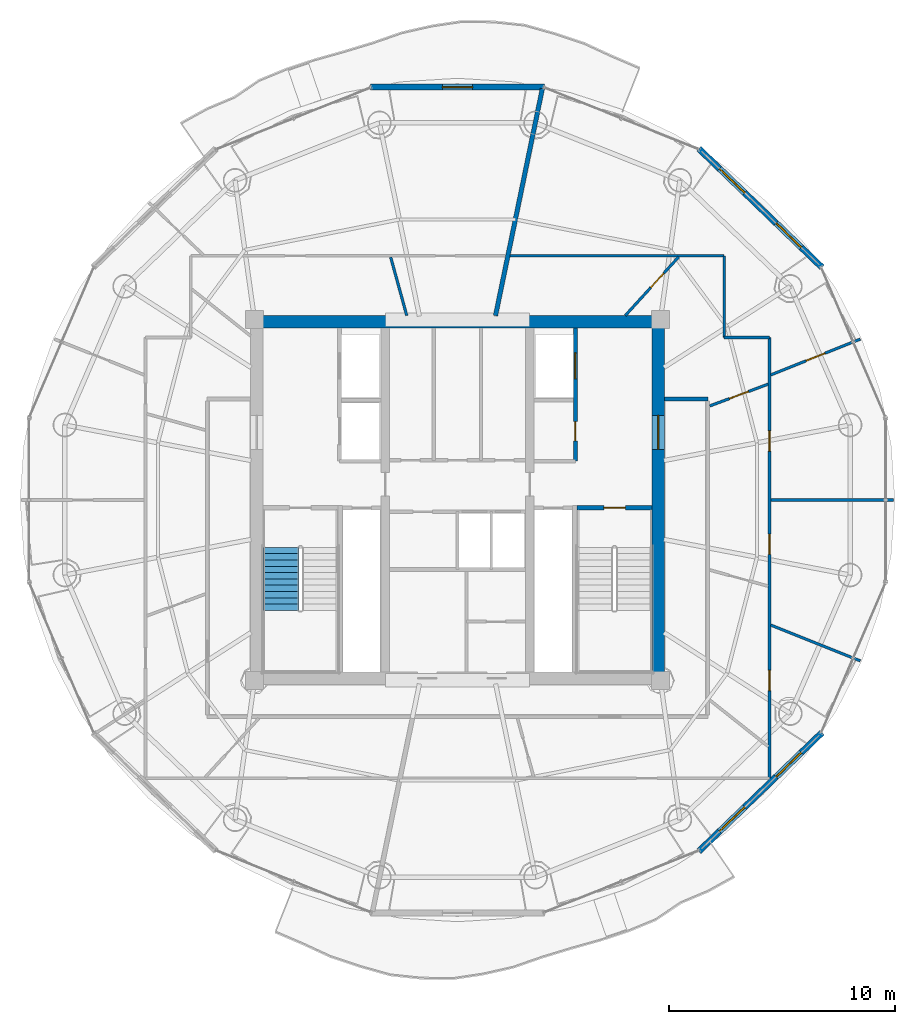
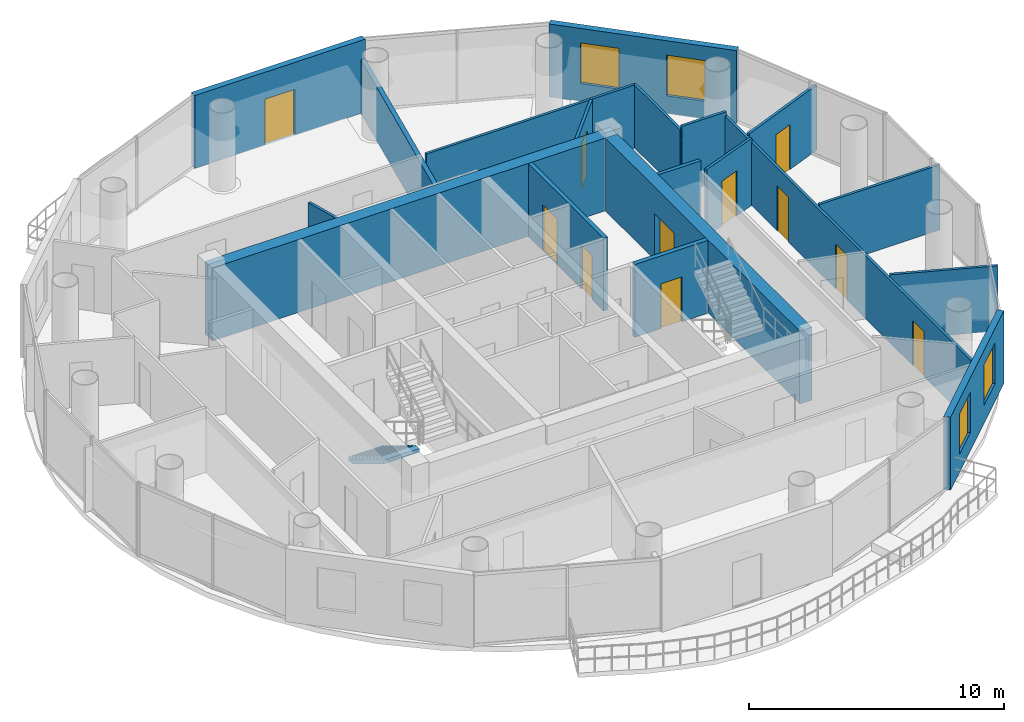
# One storey, part 16 of 21: 19 walls, 11 doors, 4 windows, 1 stair flight, 15 openings, 1 element without a shape of its own.
"""IFC4 building model written with IfcOpenShell, lengths in metres."""

from ifc_helpers import new_model, si_unit, direction, frame, frame_2d, origin, place, context, subcontext, project, spatial, polyline, rectangle, outline, extrude, source, transform, mapped, material, layer, layer_set, type_object, element, fill, aggregate, save


model = new_model("IFC4")

# Units and contexts
model_context = context("Model", 3, precision=1e-05, world=origin(), true_north=direction((-0.2419218956, 0.970295726276)))
body_context = subcontext(model_context, "Body", "Model", "MODEL_VIEW")
ifc_project = project(units=[si_unit("LENGTHUNIT", "METRE"), si_unit("AREAUNIT", "SQUARE_METRE"), si_unit("VOLUMEUNIT", "CUBIC_METRE"), si_unit("PLANEANGLEUNIT", "RADIAN"), si_unit("MASSUNIT", "GRAM", prefix="KILO")], contexts=[model_context])

# Site, building, storey
site_placement = place(None, origin())
site = spatial("IfcSite", under=ifc_project, at=site_placement, CompositionType="ELEMENT")
building_placement = place(site_placement, origin())
building = spatial("IfcBuilding", under=site, at=building_placement, Name="Cobrevalo Terracotta Tower", CompositionType="ELEMENT")
storey_placement = place(building_placement, frame((0.0, 0.0, 285.699951171875)))
storey = spatial("IfcBuildingStorey", under=building, at=storey_placement, Name="L75", CompositionType="ELEMENT", Elevation=285.699951171875)

# Wall
ifc_material_1 = material(Name="Concrete C50", Category="concrete")
ifc_layer_1 = layer(ifc_material_1, 0.550048828125)
ifc_layer_set_1 = layer_set([ifc_layer_1], Name="Concrete C50")
wall_type_1 = type_object("IfcWallType", Name="Core shear wall 550 mm Concrete C50", PredefinedType="SHEAR", material=ifc_layer_set_1)
wall_1_placement = place(storey_placement, frame((28.824951171875, 34.699951171875, 0.0), z_axis=(0.0, 0.0, 1.0), x_axis=(1.0, 0.0, 0.0)))
element("IfcWall", 1, at=wall_1_placement, inside=storey, type_object=wall_type_1, Name="L75 north core shear wall", PredefinedType="SHEAR", context=body_context, shape_type="SweptSolid", body=[
    extrude(rectangle(XDim=18.35009765625, YDim=0.550048828125, at=frame_2d((9.175048828125, 0.0))), origin(), (0.0, 0.0, 1.0), 3.489990234375),
])

# Wall, opening, door
wall_2_placement = place(storey_placement, frame((46.89990234375, 19.175048828125, 0.0), z_axis=(0.0, 0.0, 1.0), x_axis=(0.0, 1.0, 0.0)))
wall_2 = element("IfcWall", 2, at=wall_2_placement, inside=storey, type_object=wall_type_1, Name="L75 east core shear wall", PredefinedType="SHEAR", context=body_context, shape_type="SweptSolid", body=[
    extrude(rectangle(XDim=15.25, YDim=0.550048828125, at=frame_2d((7.625, 0.0))), origin(), (0.0, 0.0, 1.0), 3.489990234375),
])
opening_1_placement = place(wall_2_placement, frame((9.875, 0.0, 0.0)))
opening_1 = element("IfcOpeningElement", 3, at=opening_1_placement, cuts=wall_2, Name="Opening ID-14", PredefinedType="OPENING", context=body_context, shape_type="SweptSolid", body=[
    extrude(rectangle(XDim=1.5, YDim=2.199951171875, at=frame_2d((0.75, 1.10009765625))), frame((0.0, 0.28515625, 0.0), z_axis=(0.0, -1.0, 0.0), x_axis=(1.0, 0.0, 0.0)), (0.0, 0.0, 1.0), 0.570068359375),
])
ifc_material_2 = material(Name="Galvanized fire-rated steel", Category="steel")
door_type_1 = type_object("IfcDoorType", Name="Core cross-lobby double fire door 1500x2200 EI 90", OperationType="NOTDEFINED", PredefinedType="DOOR", material=ifc_material_2)
shared_shape_1 = source(origin(), body_context, "Body", "SweptSolid", [
    extrude(rectangle(XDim=1.5, YDim=2.199951171875, at=frame_2d((0.75, 1.10009765625))), frame((0.0, 0.02490234375, 0.0), z_axis=(0.0, -1.0, 0.0), x_axis=(1.0, 0.0, 0.0)), (0.0, 0.0, 1.0), 0.050048828125),
])
door_1_placement = place(opening_1_placement, frame((1.5, 0.0, 0.0), z_axis=(0.0, 0.0, 1.0), x_axis=(-1.0, 0.0, 0.0)))
door_1 = element("IfcDoor", 4, at=door_1_placement, inside=storey, type_object=door_type_1, Name="L75 east firefighting lobby entrance door", OperationType="DOUBLE_DOOR_SINGLE_SWING", OverallHeight=2.199951171875, OverallWidth=1.5, PredefinedType="DOOR", context=body_context, shape_type="MappedRepresentation", body=[
    mapped(shared_shape_1, transform((0.0, 0.0, 0.0), scale=1.0)),
])
fill(opening_1, door_1)

# Wall
ifc_material_3 = material(Name="Gypsum board on steel stud", Category="steel")
ifc_layer_2 = layer(ifc_material_3, 0.159912109375)
ifc_layer_set_2 = layer_set([ifc_layer_2], Name="Gypsum board on steel stud")
wall_type_2 = type_object("IfcWallType", Name="Fire-rated corridor acoustic partition wall 160 mm", PredefinedType="PARTITIONING", material=ifc_layer_set_2)
wall_3_placement = place(storey_placement, frame((47.175048828125, 31.280029296875, 0.0), z_axis=(0.0, 0.0, 1.0), x_axis=(1.0, 0.0, 0.0)))
element("IfcWall", 5, at=wall_3_placement, inside=storey, type_object=wall_type_2, Name="L75 interior partition IW-L75-COR-EN-CAP", PredefinedType="PARTITIONING", context=body_context, shape_type="SweptSolid", body=[
    extrude(rectangle(XDim=1.929931640625, YDim=0.159912109375, at=frame_2d((0.96484375, 0.0))), origin(), (0.0, 0.0, 1.0), 3.489990234375),
])

# Wall, openings, doors
ifc_layer_3 = layer(ifc_material_3, 0.179931640625)
ifc_layer_set_3 = layer_set([ifc_layer_3], Name="Gypsum board on steel stud")
wall_type_3 = type_object("IfcWallType", Name="Fire-rated shaft & lobby acoustic partition wall 180 mm", PredefinedType="PARTITIONING", material=ifc_layer_set_3)
wall_4_placement = place(storey_placement, frame((43.22998046875, 28.52001953125, 0.0), z_axis=(0.0, 0.0, 1.0), x_axis=(0.0, 1.0, 0.0)))
wall_4 = element("IfcWall", 6, at=wall_4_placement, inside=storey, type_object=wall_type_3, Name="L75 interior partition IW-L75-FF2-E", PredefinedType="PARTITIONING", context=body_context, shape_type="SweptSolid", body=[
    extrude(rectangle(XDim=5.905029296875, YDim=0.179931640625, at=frame_2d((2.95263671875, 0.0))), origin(), (0.0, 0.0, 1.0), 3.489990234375),
])
opening_2_placement = place(wall_4_placement, frame((0.905029296875, 0.0, 0.0)))
opening_2 = element("IfcOpeningElement", 7, at=opening_2_placement, cuts=wall_4, Name="Opening ID-22", PredefinedType="OPENING", context=body_context, shape_type="SweptSolid", body=[
    extrude(rectangle(XDim=0.85009765625, YDim=2.10009765625, at=frame_2d((0.425048828125, 1.050048828125))), frame((0.0, 0.10009765625, 0.0), z_axis=(0.0, -1.0, 0.0), x_axis=(1.0, 0.0, 0.0)), (0.0, 0.0, 1.0), 0.199951171875),
])
opening_3_placement = place(wall_4_placement, frame((3.655029296875, 0.0, 0.0)))
opening_3 = element("IfcOpeningElement", 8, at=opening_3_placement, cuts=wall_4, Name="Opening LD-02", PredefinedType="OPENING", context=body_context, shape_type="SweptSolid", body=[
    extrude(rectangle(XDim=1.14990234375, YDim=2.199951171875, at=frame_2d((0.574951171875, 1.10009765625))), frame((0.0, 0.10009765625, 0.0), z_axis=(0.0, -1.0, 0.0), x_axis=(1.0, 0.0, 0.0)), (0.0, 0.0, 1.0), 0.199951171875),
])
ifc_material_4 = material(Name="Powder-coated steel", Category="steel")
door_type_2 = type_object("IfcDoorType", Name="Riser shaft & meter closet fire access door 850x2100 EI 60", OperationType="NOTDEFINED", PredefinedType="DOOR", material=ifc_material_4)
shared_shape_2 = source(origin(), body_context, "Body", "SweptSolid", [
    extrude(rectangle(XDim=0.85009765625, YDim=2.10009765625, at=frame_2d((0.425048828125, 1.050048828125))), frame((0.0, 0.02490234375, 0.0), z_axis=(0.0, -1.0, 0.0), x_axis=(1.0, 0.0, 0.0)), (0.0, 0.0, 1.0), 0.050048828125),
])
door_2_placement = place(opening_2_placement, frame((0.85009765625, 0.0, 0.0), z_axis=(0.0, 0.0, 1.0), x_axis=(-1.0, 0.0, 0.0)))
door_2 = element("IfcDoor", 9, at=door_2_placement, inside=storey, type_object=door_type_2, Name="L75 housekeeping store door", OperationType="SINGLE_SWING_RIGHT", OverallHeight=2.10009765625, OverallWidth=0.85009765625, PredefinedType="DOOR", context=body_context, shape_type="MappedRepresentation", body=[
    mapped(shared_shape_2, transform((0.0, 0.0, 0.0), scale=1.0)),
])
fill(opening_2, door_2)
ifc_material_5 = material(Name="Brushed stainless steel", Category="steel")
door_type_3 = type_object("IfcDoorType", Name="Firefighting lift landing bi-parting sliding door 1150x2200 EI 120", OperationType="DOUBLE_DOOR_SLIDING", PredefinedType="DOOR", material=ifc_material_5)
shared_shape_3 = source(origin(), body_context, "Body", "SweptSolid", [
    extrude(rectangle(XDim=1.14990234375, YDim=2.199951171875, at=frame_2d((0.574951171875, 1.10009765625))), frame((0.0, 0.02490234375, 0.0), z_axis=(0.0, -1.0, 0.0), x_axis=(1.0, 0.0, 0.0)), (0.0, 0.0, 1.0), 0.050048828125),
])
door_3_placement = place(opening_3_placement, origin())
door_3 = element("IfcDoor", 10, at=door_3_placement, inside=storey, type_object=door_type_3, Name="L75 lift landing door FF-2", OperationType="DOUBLE_DOOR_SLIDING", OverallHeight=2.199951171875, OverallWidth=1.14990234375, PredefinedType="DOOR", context=body_context, shape_type="MappedRepresentation", body=[
    mapped(shared_shape_3, transform((0.0, 0.0, 0.0), scale=1.0)),
])
fill(opening_3, door_3)

# Wall
ifc_material_6 = material(Name="Autoclaved aerated concrete block", Category="concrete")
ifc_layer_4 = layer(ifc_material_6, 0.199951171875)
ifc_layer_set_4 = layer_set([ifc_layer_4], Name="Autoclaved aerated concrete block")
wall_type_4 = type_object("IfcWallType", Name="Fire-rated stair, shaft & demising masonry wall 200 mm", PredefinedType="PARTITIONING", material=ifc_layer_set_4)
wall_5_placement = place(storey_placement, frame((39.6875, 34.97705078125, 0.0), z_axis=(0.0, 0.0, 1.0), x_axis=(0.202091890364, 0.979366564596, 0.0)))
element("IfcWall", 11, at=wall_5_placement, inside=storey, type_object=wall_type_4, Name="L75 interior partition IW-L75-DEM-1", PredefinedType="PARTITIONING", context=body_context, shape_type="SweptSolid", body=[
    extrude(rectangle(XDim=10.2783203125, YDim=0.199951171875, at=frame_2d((5.13916015625, 0.0))), origin(), (0.0, 0.0, 1.0), 2.574951171875),
])

# Wall, openings, windows
ifc_layer_5 = layer(ifc_material_6, 0.280029296875)
ifc_layer_set_5 = layer_set([ifc_layer_5], Name="Autoclaved aerated concrete block")
wall_type_5 = type_object("IfcWallType", Name="Insulated tower spandrel & pier wall 280 mm with terracotta rainscreen", PredefinedType="SOLIDWALL", material=ifc_layer_set_5)
wall_6_placement = place(storey_placement, frame((54.1630859375, 37.116943359375, 0.0), z_axis=(0.0, 0.0, 1.0), x_axis=(-0.719979309073, 0.693995529169, 0.0)))
wall_6 = element("IfcWall", 12, at=wall_6_placement, inside=storey, type_object=wall_type_5, Name="L75 terracotta rainscreen pier wall S02", PredefinedType="SOLIDWALL", context=body_context, shape_type="SweptSolid", body=[
    extrude(rectangle(XDim=7.58251953125, YDim=0.280029296875, at=frame_2d((3.791259765625, 0.0))), origin(), (0.0, 0.0, 1.0), 3.489990234375),
])
opening_4_placement = place(wall_6_placement, frame((1.272216796875, 0.0, 0.85009765625)))
opening_4 = element("IfcOpeningElement", 13, at=opening_4_placement, cuts=wall_6, Name="Opening WN-12", PredefinedType="OPENING", context=body_context, shape_type="SweptSolid", body=[
    extrude(rectangle(XDim=1.550048828125, YDim=1.949951171875, at=frame_2d((0.77490234375, 0.97509765625))), frame((0.0, 0.14990234375, 0.0), z_axis=(0.0, -1.0, 0.0), x_axis=(1.0, 0.0, 0.0)), (0.0, 0.0, 1.0), 0.300048828125),
])
opening_5_placement = place(wall_6_placement, frame((4.76025390625, 0.0, 0.85009765625)))
opening_5 = element("IfcOpeningElement", 14, at=opening_5_placement, cuts=wall_6, Name="Opening WN-12", PredefinedType="OPENING", context=body_context, shape_type="SweptSolid", body=[
    extrude(rectangle(XDim=1.550048828125, YDim=1.949951171875, at=frame_2d((0.77490234375, 0.97509765625))), frame((0.0, 0.14990234375, 0.0), z_axis=(0.0, -1.0, 0.0), x_axis=(1.0, 0.0, 0.0)), (0.0, 0.0, 1.0), 0.300048828125),
])
ifc_material_7 = material(Name="Solar-control low-E double glazing", Category="glass")
window_type = type_object("IfcWindowType", Name="Solar-control low-E aluminium window 1550x1950", PartitioningType="SINGLE_PANEL", PredefinedType="WINDOW", material=ifc_material_7)
shared_shape_4 = source(origin(), body_context, "Body", "SweptSolid", [
    extrude(rectangle(XDim=1.550048828125, YDim=1.949951171875, at=frame_2d((0.77490234375, 0.97509765625))), frame((0.0, 0.030029296875, 0.0), z_axis=(0.0, -1.0, 0.0), x_axis=(1.0, 0.0, 0.0)), (0.0, 0.0, 1.0), 0.06005859375),
])
window_1_placement = place(opening_4_placement, origin())
window_1 = element("IfcWindow", 15, at=window_1_placement, inside=storey, type_object=window_type, Name="L75 suite window S02A", OverallHeight=1.949951171875, OverallWidth=1.550048828125, PartitioningType="SINGLE_PANEL", PredefinedType="WINDOW", context=body_context, shape_type="MappedRepresentation", body=[
    mapped(shared_shape_4, transform((0.0, 0.0, 0.0), scale=1.0)),
])
fill(opening_4, window_1)
window_2_placement = place(opening_5_placement, origin())
window_2 = element("IfcWindow", 16, at=window_2_placement, inside=storey, type_object=window_type, Name="L75 suite window S02B", OverallHeight=1.949951171875, OverallWidth=1.550048828125, PartitioningType="SINGLE_PANEL", PredefinedType="WINDOW", context=body_context, shape_type="MappedRepresentation", body=[
    mapped(shared_shape_4, transform((0.0, 0.0, 0.0), scale=1.0)),
])
fill(opening_5, window_2)

wall_7_placement = place(storey_placement, frame((48.703857421875, 11.220947265625, 0.0), z_axis=(0.0, 0.0, 1.0), x_axis=(0.719995397366, 0.69397883813, 0.0)))
wall_7 = element("IfcWall", 17, at=wall_7_placement, inside=storey, type_object=wall_type_5, Name="L75 terracotta rainscreen pier wall S14", PredefinedType="SOLIDWALL", context=body_context, shape_type="SweptSolid", body=[
    extrude(rectangle(XDim=7.582275390625, YDim=0.280029296875, at=frame_2d((3.791015625, 0.0))), origin(), (0.0, 0.0, 1.0), 3.489990234375),
])
opening_6_placement = place(wall_7_placement, frame((1.272216796875, 0.0, 0.85009765625)))
opening_6 = element("IfcOpeningElement", 18, at=opening_6_placement, cuts=wall_7, Name="Opening WN-12", PredefinedType="OPENING", context=body_context, shape_type="SweptSolid", body=[
    extrude(rectangle(XDim=1.550048828125, YDim=1.949951171875, at=frame_2d((0.77490234375, 0.97509765625))), frame((0.0, 0.14990234375, 0.0), z_axis=(0.0, -1.0, 0.0), x_axis=(1.0, 0.0, 0.0)), (0.0, 0.0, 1.0), 0.300048828125),
])
opening_7_placement = place(wall_7_placement, frame((4.76025390625, 0.0, 0.85009765625)))
opening_7 = element("IfcOpeningElement", 19, at=opening_7_placement, cuts=wall_7, Name="Opening WN-12", PredefinedType="OPENING", context=body_context, shape_type="SweptSolid", body=[
    extrude(rectangle(XDim=1.550048828125, YDim=1.949951171875, at=frame_2d((0.77490234375, 0.97509765625))), frame((0.0, 0.14990234375, 0.0), z_axis=(0.0, -1.0, 0.0), x_axis=(1.0, 0.0, 0.0)), (0.0, 0.0, 1.0), 0.300048828125),
])
window_3_placement = place(opening_6_placement, origin())
window_3 = element("IfcWindow", 20, at=window_3_placement, inside=storey, type_object=window_type, Name="L75 suite window S14A", OverallHeight=1.949951171875, OverallWidth=1.550048828125, PartitioningType="SINGLE_PANEL", PredefinedType="WINDOW", context=body_context, shape_type="MappedRepresentation", body=[
    mapped(shared_shape_4, transform((0.0, 0.0, 0.0), scale=1.0)),
])
fill(opening_6, window_3)
window_4_placement = place(opening_7_placement, origin())
window_4 = element("IfcWindow", 21, at=window_4_placement, inside=storey, type_object=window_type, Name="L75 suite window S14B", OverallHeight=1.949951171875, OverallWidth=1.550048828125, PartitioningType="SINGLE_PANEL", PredefinedType="WINDOW", context=body_context, shape_type="MappedRepresentation", body=[
    mapped(shared_shape_4, transform((0.0, 0.0, 0.0), scale=1.0)),
])
fill(opening_7, window_4)

# Wall, opening, door
ifc_layer_6 = layer(ifc_material_6, 0.260009765625)
ifc_layer_set_6 = layer_set([ifc_layer_6], Name="Autoclaved aerated concrete block")
wall_type_6 = type_object("IfcWallType", Name="Recessed balcony loggia insulated exterior wall 260 mm", PredefinedType="SOLIDWALL", material=ifc_layer_set_6)
wall_8_placement = place(storey_placement, frame((41.85888671875, 45.111328125, 0.0), z_axis=(0.0, 0.0, 1.0), x_axis=(-1.0, 0.0, 0.0)))
wall_8 = element("IfcWall", 22, at=wall_8_placement, inside=storey, type_object=wall_type_6, Name="L75 balcony loggia wall S04", PredefinedType="SOLIDWALL", context=body_context, shape_type="SweptSolid", body=[
    extrude(rectangle(XDim=7.7177734375, YDim=0.260009765625, at=frame_2d((3.85888671875, 0.0))), origin(), (0.0, 0.0, 1.0), 3.489990234375),
])
opening_8_placement = place(wall_8_placement, frame((3.183837890625, 0.0, 0.0)))
opening_8 = element("IfcOpeningElement", 23, at=opening_8_placement, cuts=wall_8, Name="Opening ED-05", PredefinedType="OPENING", context=body_context, shape_type="SweptSolid", body=[
    extrude(rectangle(XDim=1.35009765625, YDim=2.199951171875, at=frame_2d((0.675048828125, 1.10009765625))), frame((0.0, 0.14013671875, 0.0), z_axis=(0.0, -1.0, 0.0), x_axis=(1.0, 0.0, 0.0)), (0.0, 0.0, 1.0), 0.280029296875),
])
ifc_material_8 = material(Name="Anodized aluminium and laminated glass", Category="aluminium")
door_type_4 = type_object("IfcDoorType", Name="Suite balcony acoustic glazed terrace door 1350x2200", OperationType="NOTDEFINED", PredefinedType="DOOR", material=ifc_material_8)
shared_shape_5 = source(origin(), body_context, "Body", "SweptSolid", [
    extrude(rectangle(XDim=1.35009765625, YDim=2.199951171875, at=frame_2d((0.675048828125, 1.10009765625))), frame((0.0, 0.02490234375, 0.0), z_axis=(0.0, -1.0, 0.0), x_axis=(1.0, 0.0, 0.0)), (0.0, 0.0, 1.0), 0.050048828125),
])
door_4_placement = place(opening_8_placement, frame((1.35009765625, 0.0, 0.0), z_axis=(0.0, 0.0, 1.0), x_axis=(-1.0, 0.0, 0.0)))
door_4 = element("IfcDoor", 24, at=door_4_placement, inside=storey, type_object=door_type_4, Name="L75 glazed balcony terrace door 1", OperationType="SINGLE_SWING_LEFT", OverallHeight=2.199951171875, OverallWidth=1.35009765625, PredefinedType="DOOR", context=body_context, shape_type="MappedRepresentation", body=[
    mapped(shared_shape_5, transform((0.0, 0.0, 0.0), scale=1.0)),
])
fill(opening_8, door_4)

# Walls
ifc_layer_7 = layer(ifc_material_3, 0.1201171875)
ifc_layer_set_7 = layer_set([ifc_layer_7], Name="Gypsum board on steel stud")
wall_type_7 = type_object("IfcWallType", Name="Residential internal acoustic stud partition 120 mm", PredefinedType="PARTITIONING", material=ifc_layer_set_7)
wall_9_placement = place(storey_placement, frame((35.750732421875, 34.97705078125, 0.0), z_axis=(0.0, 0.0, 1.0), x_axis=(-0.26521778697, 0.964188532122, 0.0)))
element("IfcWall", 25, at=wall_9_placement, inside=storey, type_object=wall_type_7, Name="L75 interior partition IW-L75-U1-IRAD1", PredefinedType="PARTITIONING", context=body_context, shape_type="SweptSolid", body=[
    extrude(rectangle(XDim=2.684326171875, YDim=0.1201171875, at=frame_2d((1.34228515625, 0.0))), origin(), (0.0, 0.0, 1.0), 2.574951171875),
])
wall_10_placement = place(storey_placement, frame((40.3359375, 37.625, 0.0), z_axis=(0.0, 0.0, 1.0), x_axis=(1.0, 0.0, 0.0)))
element("IfcWall", 26, at=wall_10_placement, inside=storey, type_object=wall_type_7, Name="L75 interior partition IW-L75-U2-RING0_0", PredefinedType="PARTITIONING", context=body_context, shape_type="SweptSolid", body=[
    extrude(rectangle(XDim=9.489013671875, YDim=0.1201171875, at=frame_2d((4.74462890625, 0.0))), origin(), (0.0, 0.0, 1.0), 3.01513671875),
])
wall_11_placement = place(storey_placement, frame((49.824951171875, 37.625, 0.0), z_axis=(0.0, 0.0, 1.0), x_axis=(0.0, -1.0, 0.0)))
element("IfcWall", 27, at=wall_11_placement, inside=storey, type_object=wall_type_7, Name="L75 interior partition IW-L75-U2-RING1_0", PredefinedType="PARTITIONING", context=body_context, shape_type="SweptSolid", body=[
    extrude(rectangle(XDim=3.614990234375, YDim=0.1201171875, at=frame_2d((1.8076171875, 0.0))), origin(), (0.0, 0.0, 1.0), 3.01513671875),
])
wall_12_placement = place(storey_placement, frame((49.824951171875, 34.010009765625, 0.0), z_axis=(0.0, 0.0, 1.0), x_axis=(1.0, 0.0, 0.0)))
element("IfcWall", 28, at=wall_12_placement, inside=storey, type_object=wall_type_7, Name="L75 interior partition IW-L75-U2-RING2_0", PredefinedType="PARTITIONING", context=body_context, shape_type="SweptSolid", body=[
    extrude(rectangle(XDim=2.010009765625, YDim=0.1201171875, at=frame_2d((1.0048828125, 0.0))), origin(), (0.0, 0.0, 1.0), 3.208984375),
])

# Wall, openings, doors
wall_13_placement = place(storey_placement, frame((51.8349609375, 34.010009765625, 0.0), z_axis=(0.0, 0.0, 1.0), x_axis=(0.0, -1.0, 0.0)))
wall_13 = element("IfcWall", 29, at=wall_13_placement, inside=storey, type_object=wall_type_7, Name="L75 interior partition IW-L75-U2-RING3_0", PredefinedType="PARTITIONING", context=body_context, shape_type="SweptSolid", body=[
    extrude(rectangle(XDim=19.544921875, YDim=0.1201171875, at=frame_2d((9.7724609375, 0.0))), origin(), (0.0, 0.0, 1.0), 3.01513671875),
])
opening_9_placement = place(wall_13_placement, frame((14.767578125, 0.0, 0.0)))
opening_9 = element("IfcOpeningElement", 30, at=opening_9_placement, cuts=wall_13, Name="Opening ID-12", PredefinedType="OPENING", context=body_context, shape_type="SweptSolid", body=[
    extrude(rectangle(XDim=0.89990234375, YDim=2.14990234375, at=frame_2d((0.449951171875, 1.074951171875))), frame((0.0, 0.070068359375, 0.0), z_axis=(0.0, -1.0, 0.0), x_axis=(1.0, 0.0, 0.0)), (0.0, 0.0, 1.0), 0.14013671875),
])
opening_10_placement = place(wall_13_placement, frame((8.71826171875, 0.0, 0.0)))
opening_10 = element("IfcOpeningElement", 31, at=opening_10_placement, cuts=wall_13, Name="Opening ID-12", PredefinedType="OPENING", context=body_context, shape_type="SweptSolid", body=[
    extrude(rectangle(XDim=0.89990234375, YDim=2.14990234375, at=frame_2d((0.449951171875, 1.074951171875))), frame((0.0, 0.070068359375, 0.0), z_axis=(0.0, -1.0, 0.0), x_axis=(1.0, 0.0, 0.0)), (0.0, 0.0, 1.0), 0.14013671875),
])
opening_11_placement = place(wall_13_placement, frame((4.140380859375, 0.0, 0.0)))
opening_11 = element("IfcOpeningElement", 32, at=opening_11_placement, cuts=wall_13, Name="Opening ID-12", PredefinedType="OPENING", context=body_context, shape_type="SweptSolid", body=[
    extrude(rectangle(XDim=0.89990234375, YDim=2.14990234375, at=frame_2d((0.449951171875, 1.074951171875))), frame((0.0, 0.070068359375, 0.0), z_axis=(0.0, -1.0, 0.0), x_axis=(1.0, 0.0, 0.0)), (0.0, 0.0, 1.0), 0.14013671875),
])
ifc_material_9 = material(Name="Engineered timber", Category="wood")
door_type_5 = type_object("IfcDoorType", Name="Internal residence & suite timber door 900x2150", OperationType="NOTDEFINED", PredefinedType="DOOR", material=ifc_material_9)
shared_shape_6 = source(origin(), body_context, "Body", "SweptSolid", [
    extrude(rectangle(XDim=0.89990234375, YDim=2.14990234375, at=frame_2d((0.449951171875, 1.074951171875))), frame((0.0, 0.02490234375, 0.0), z_axis=(0.0, -1.0, 0.0), x_axis=(1.0, 0.0, 0.0)), (0.0, 0.0, 1.0), 0.050048828125),
])
door_5_placement = place(opening_9_placement, frame((0.89990234375, 0.0, 0.0), z_axis=(0.0, 0.0, 1.0), x_axis=(-1.0, 0.0, 0.0)))
door_5 = element("IfcDoor", 33, at=door_5_placement, inside=storey, type_object=door_type_5, Name="Flat L75B Kitchen internal door", OperationType="SINGLE_SWING_LEFT", OverallHeight=2.14990234375, OverallWidth=0.89990234375, PredefinedType="DOOR", context=body_context, shape_type="MappedRepresentation", body=[
    mapped(shared_shape_6, transform((0.0, 0.0, 0.0), scale=1.0)),
])
fill(opening_9, door_5)
door_6_placement = place(opening_10_placement, origin())
door_6 = element("IfcDoor", 34, at=door_6_placement, inside=storey, type_object=door_type_5, Name="Flat L75B Master Bedroom internal door", OperationType="SINGLE_SWING_LEFT", OverallHeight=2.14990234375, OverallWidth=0.89990234375, PredefinedType="DOOR", context=body_context, shape_type="MappedRepresentation", body=[
    mapped(shared_shape_6, transform((0.0, 0.0, 0.0), scale=1.0)),
])
fill(opening_10, door_6)
door_7_placement = place(opening_11_placement, origin())
door_7 = element("IfcDoor", 35, at=door_7_placement, inside=storey, type_object=door_type_5, Name="Flat L75B Penthouse Family Lounge internal door", OperationType="SINGLE_SWING_RIGHT", OverallHeight=2.14990234375, OverallWidth=0.89990234375, PredefinedType="DOOR", context=body_context, shape_type="MappedRepresentation", body=[
    mapped(shared_shape_6, transform((0.0, 0.0, 0.0), scale=1.0)),
])
fill(opening_11, door_7)

# Walls
wall_14_placement = place(storey_placement, frame((51.892578125, 21.253173828125, 0.0), z_axis=(0.0, 0.0, 1.0), x_axis=(0.928712556691, -0.370800467966, 0.0)))
element("IfcWall", 36, at=wall_14_placement, inside=storey, type_object=wall_type_7, Name="L75 interior partition IW-L75-U2-ORAD1", PredefinedType="PARTITIONING", context=body_context, shape_type="SweptSolid", body=[
    extrude(rectangle(XDim=4.27978515625, YDim=0.1201171875, at=frame_2d((2.139892578125, 0.0))), origin(), (0.0, 0.0, 1.0), 3.12109375),
])
wall_15_placement = place(storey_placement, frame((51.89697265625, 26.800048828125, 0.0), z_axis=(0.0, 0.0, 1.0), x_axis=(1.0, 0.0, 0.0)))
element("IfcWall", 37, at=wall_15_placement, inside=storey, type_object=wall_type_7, Name="L75 interior partition IW-L75-U2-ORAD2M1", PredefinedType="PARTITIONING", context=body_context, shape_type="SweptSolid", body=[
    extrude(rectangle(XDim=5.443115234375, YDim=0.1201171875, at=frame_2d((2.7216796875, 0.0))), origin(), (0.0, 0.0, 1.0), 3.12109375),
])

# Wall, opening, door
wall_16_placement = place(storey_placement, frame((51.892578125, 32.346923828125, 0.0), z_axis=(0.0, 0.0, 1.0), x_axis=(0.928712556691, 0.370800467966, 0.0)))
wall_16 = element("IfcWall", 38, at=wall_16_placement, inside=storey, type_object=wall_type_7, Name="L75 interior partition IW-L75-U2-ORAD2", PredefinedType="PARTITIONING", context=body_context, shape_type="SweptSolid", body=[
    extrude(rectangle(XDim=4.27978515625, YDim=0.1201171875, at=frame_2d((2.139892578125, 0.0))), origin(), (0.0, 0.0, 1.0), 3.12109375),
])
opening_12_placement = place(wall_16_placement, frame((1.68994140625, 0.0, 0.0)))
opening_12 = element("IfcOpeningElement", 39, at=opening_12_placement, cuts=wall_16, Name="Opening ID-12", PredefinedType="OPENING", context=body_context, shape_type="SweptSolid", body=[
    extrude(rectangle(XDim=0.89990234375, YDim=2.14990234375, at=frame_2d((0.449951171875, 1.074951171875))), frame((0.0, 0.070068359375, 0.0), z_axis=(0.0, -1.0, 0.0), x_axis=(1.0, 0.0, 0.0)), (0.0, 0.0, 1.0), 0.14013671875),
])
door_8_placement = place(opening_12_placement, origin())
door_8 = element("IfcDoor", 40, at=door_8_placement, inside=storey, type_object=door_type_5, Name="Flat L75B Private Cinema Room internal door", OperationType="SINGLE_SWING_LEFT", OverallHeight=2.14990234375, OverallWidth=0.89990234375, PredefinedType="DOOR", context=body_context, shape_type="MappedRepresentation", body=[
    mapped(shared_shape_6, transform((0.0, 0.0, 0.0), scale=1.0)),
])
fill(opening_12, door_8)

wall_17_placement = place(storey_placement, frame((49.18505859375, 30.970947265625, 0.0), z_axis=(0.0, 0.0, 1.0), x_axis=(0.93696600231, 0.349420535338, 0.0)))
wall_17 = element("IfcWall", 41, at=wall_17_placement, inside=storey, type_object=wall_type_7, Name="L75 interior partition IW-L75-U2-IRAD4", PredefinedType="PARTITIONING", context=body_context, shape_type="SweptSolid", body=[
    extrude(rectangle(XDim=2.76611328125, YDim=0.1201171875, at=frame_2d((1.383056640625, 0.0))), origin(), (0.0, 0.0, 1.0), 3.208984375),
])
opening_13_placement = place(wall_17_placement, frame((0.93310546875, 0.0, 0.0)))
opening_13 = element("IfcOpeningElement", 42, at=opening_13_placement, cuts=wall_17, Name="Opening ID-12", PredefinedType="OPENING", context=body_context, shape_type="SweptSolid", body=[
    extrude(rectangle(XDim=0.89990234375, YDim=2.14990234375, at=frame_2d((0.449951171875, 1.074951171875))), frame((0.0, 0.070068359375, 0.0), z_axis=(0.0, -1.0, 0.0), x_axis=(1.0, 0.0, 0.0)), (0.0, 0.0, 1.0), 0.14013671875),
])
door_9_placement = place(opening_13_placement, origin())
door_9 = element("IfcDoor", 43, at=door_9_placement, inside=storey, type_object=door_type_5, Name="Flat L75B Utility Closet internal door", OperationType="SINGLE_SWING_LEFT", OverallHeight=2.14990234375, OverallWidth=0.89990234375, PredefinedType="DOOR", context=body_context, shape_type="MappedRepresentation", body=[
    mapped(shared_shape_6, transform((0.0, 0.0, 0.0), scale=1.0)),
])
fill(opening_13, door_9)

wall_18_placement = place(storey_placement, frame((45.43896484375, 34.9765625, 0.0), z_axis=(0.0, 0.0, 1.0), x_axis=(0.672980108938, 0.739660579573, 0.0)))
wall_18 = element("IfcWall", 44, at=wall_18_placement, inside=storey, type_object=wall_type_7, Name="L75 interior partition IW-L75-U2-IRAD5", PredefinedType="PARTITIONING", context=body_context, shape_type="SweptSolid", body=[
    extrude(rectangle(XDim=3.5185546875, YDim=0.1201171875, at=frame_2d((1.75927734375, 0.0))), origin(), (0.0, 0.0, 1.0), 3.01513671875),
])
opening_14_placement = place(wall_18_placement, frame((1.685302734375, 0.0, 0.0)))
opening_14 = element("IfcOpeningElement", 45, at=opening_14_placement, cuts=wall_18, Name="Opening ID-19", PredefinedType="OPENING", context=body_context, shape_type="SweptSolid", body=[
    extrude(rectangle(XDim=0.860107421875, YDim=2.14990234375, at=frame_2d((0.43017578125, 1.074951171875))), frame((0.0, 0.070068359375, 0.0), z_axis=(0.0, -1.0, 0.0), x_axis=(1.0, 0.0, 0.0)), (0.0, 0.0, 1.0), 0.14013671875),
])
ifc_material_10 = material(Name="Moisture-sealed timber", Category="wood")
door_type_6 = type_object("IfcDoorType", Name="Suite bathroom internal timber door 860x2150", OperationType="NOTDEFINED", PredefinedType="DOOR", material=ifc_material_10)
shared_shape_7 = source(origin(), body_context, "Body", "SweptSolid", [
    extrude(rectangle(XDim=0.860107421875, YDim=2.14990234375, at=frame_2d((0.43017578125, 1.074951171875))), frame((0.0, 0.02490234375, 0.0), z_axis=(0.0, -1.0, 0.0), x_axis=(1.0, 0.0, 0.0)), (0.0, 0.0, 1.0), 0.050048828125),
])
door_10_placement = place(opening_14_placement, origin())
door_10 = element("IfcDoor", 46, at=door_10_placement, inside=storey, type_object=door_type_6, Name="Flat L75B Guest Bathroom internal door", OperationType="SINGLE_SWING_RIGHT", OverallHeight=2.14990234375, OverallWidth=0.860107421875, PredefinedType="DOOR", context=body_context, shape_type="MappedRepresentation", body=[
    mapped(shared_shape_7, transform((0.0, 0.0, 0.0), scale=1.0)),
])
fill(opening_14, door_10)

ifc_layer_8 = layer(ifc_material_1, 0.199951171875)
ifc_layer_set_8 = layer_set([ifc_layer_8], Name="Concrete C50")
wall_type_8 = type_object("IfcWallType", Name="Structural core & podium stair-shaft RC wall 200 mm Concrete C50", PredefinedType="SOLIDWALL", material=ifc_layer_set_8)
wall_19_placement = place(storey_placement, frame((43.304931640625, 26.449951171875, 0.0), z_axis=(0.0, 0.0, 1.0), x_axis=(1.0, 0.0, 0.0)))
wall_19 = element("IfcWall", 47, at=wall_19_placement, inside=storey, type_object=wall_type_8, Name="L75 ST-2 north structural shaft wall", PredefinedType="SOLIDWALL", context=body_context, shape_type="SweptSolid", body=[
    extrude(rectangle(XDim=3.320068359375, YDim=0.199951171875, at=frame_2d((1.66015625, 0.0))), origin(), (0.0, 0.0, 1.0), 3.489990234375),
])
opening_15_placement = place(wall_19_placement, frame((1.18505859375, 0.0, 0.0)))
opening_15 = element("IfcOpeningElement", 48, at=opening_15_placement, cuts=wall_19, Name="Opening ID-04", PredefinedType="OPENING", context=body_context, shape_type="SweptSolid", body=[
    extrude(rectangle(XDim=0.949951171875, YDim=2.14990234375, at=frame_2d((0.47509765625, 1.074951171875))), frame((0.0, 0.10986328125, 0.0), z_axis=(0.0, -1.0, 0.0), x_axis=(1.0, 0.0, 0.0)), (0.0, 0.0, 1.0), 0.219970703125),
])
door_type_7 = type_object("IfcDoorType", Name="Stair & firefighting lobby fire door 950x2150 EI 90", OperationType="NOTDEFINED", PredefinedType="DOOR", material=ifc_material_2)
shared_shape_8 = source(origin(), body_context, "Body", "SweptSolid", [
    extrude(rectangle(XDim=0.949951171875, YDim=2.14990234375, at=frame_2d((0.47509765625, 1.074951171875))), frame((0.0, 0.02490234375, 0.0), z_axis=(0.0, -1.0, 0.0), x_axis=(1.0, 0.0, 0.0)), (0.0, 0.0, 1.0), 0.050048828125),
])
door_11_placement = place(opening_15_placement, frame((0.949951171875, 0.0, 0.0), z_axis=(0.0, 0.0, 1.0), x_axis=(-1.0, 0.0, 0.0)))
door_11 = element("IfcDoor", 49, at=door_11_placement, inside=storey, type_object=door_type_7, Name="L75 protected stair ST2 fire door", OperationType="SINGLE_SWING_RIGHT", OverallHeight=2.14990234375, OverallWidth=0.949951171875, PredefinedType="DOOR", context=body_context, shape_type="MappedRepresentation", body=[
    mapped(shared_shape_8, transform((0.0, 0.0, 0.0), scale=1.0)),
])
fill(opening_15, door_11)

# Stair, stair flight
stair_type = type_object("IfcStairType", Name="Core protected escape dogleg stair 1600", PredefinedType="HALF_TURN_STAIR", material=ifc_material_1)
stair_placement = place(storey_placement, origin())
stair = element("IfcStair", 50, at=stair_placement, inside=storey, type_object=stair_type, Name="L75 Protected exit stair ST-1", PredefinedType="HALF_TURN_STAIR")
stair_flight_type = type_object("IfcStairFlightType", Name="Core protected escape dogleg stair 1600 flight", PredefinedType="STRAIGHT", material=ifc_material_1)
stair_flight_placement = place(storey_placement, frame((30.175048828125, 24.699951171875, 0.0), z_axis=(0.0, 0.0, 1.0), x_axis=(0.0, -1.0, 0.0)))
stair_flight = element("IfcStairFlight", 51, at=stair_flight_placement, type_object=stair_flight_type, Name="ST-1 flight 1", NumberOfRisers=11, NumberOfTreads=10, PredefinedType="STRAIGHT", RiserHeight=0.170454545, TreadLength=0.28, context=body_context, shape_type="SweptSolid", body=[
    extrude(outline(polyline([(0.0, 0.0), (0.0, 0.17041015625), (0.280029296875, 0.17041015625), (0.280029296875, 0.3408203125), (0.56005859375, 0.3408203125), (0.56005859375, 0.511474609375), (0.840087890625, 0.511474609375), (0.840087890625, 0.681884765625), (1.1201171875, 0.681884765625), (1.1201171875, 0.852294921875), (1.39990234375, 0.852294921875), (1.39990234375, 1.022705078125), (1.679931640625, 1.022705078125), (1.679931640625, 1.193115234375), (1.9599609375, 1.193115234375), (1.9599609375, 1.363525390625), (2.239990234375, 1.363525390625), (2.239990234375, 1.5341796875), (2.52001953125, 1.5341796875), (2.52001953125, 1.70458984375), (2.800048828125, 1.70458984375), (2.800048828125, 1.875), (2.800048828125, 1.517333984375), (0.3076171875, 0.0), (0.0, 0.0)])), frame((0.0, 0.800048828125, 0.0), z_axis=(0.0, -1.0, 0.0), x_axis=(1.0, 0.0, 0.0)), (0.0, 0.0, 1.0), 1.60009765625),
])
aggregate(stair, [stair_flight])

save(model, "model.ifc")
